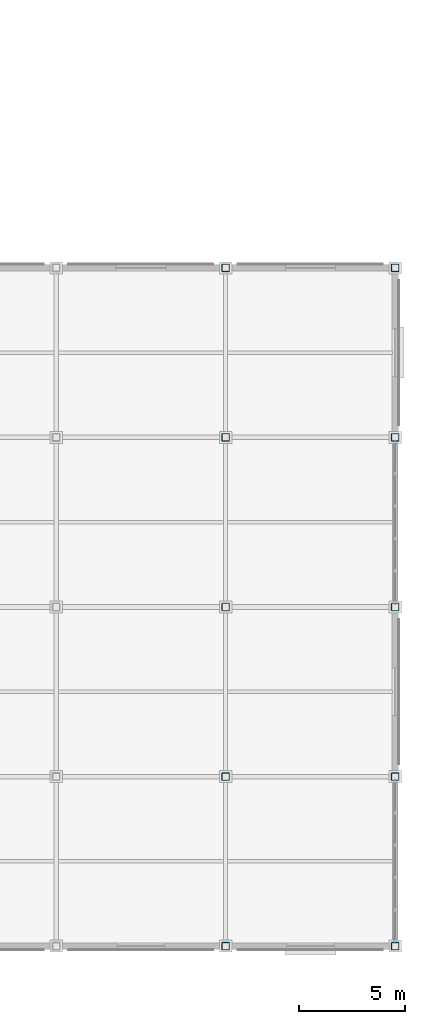
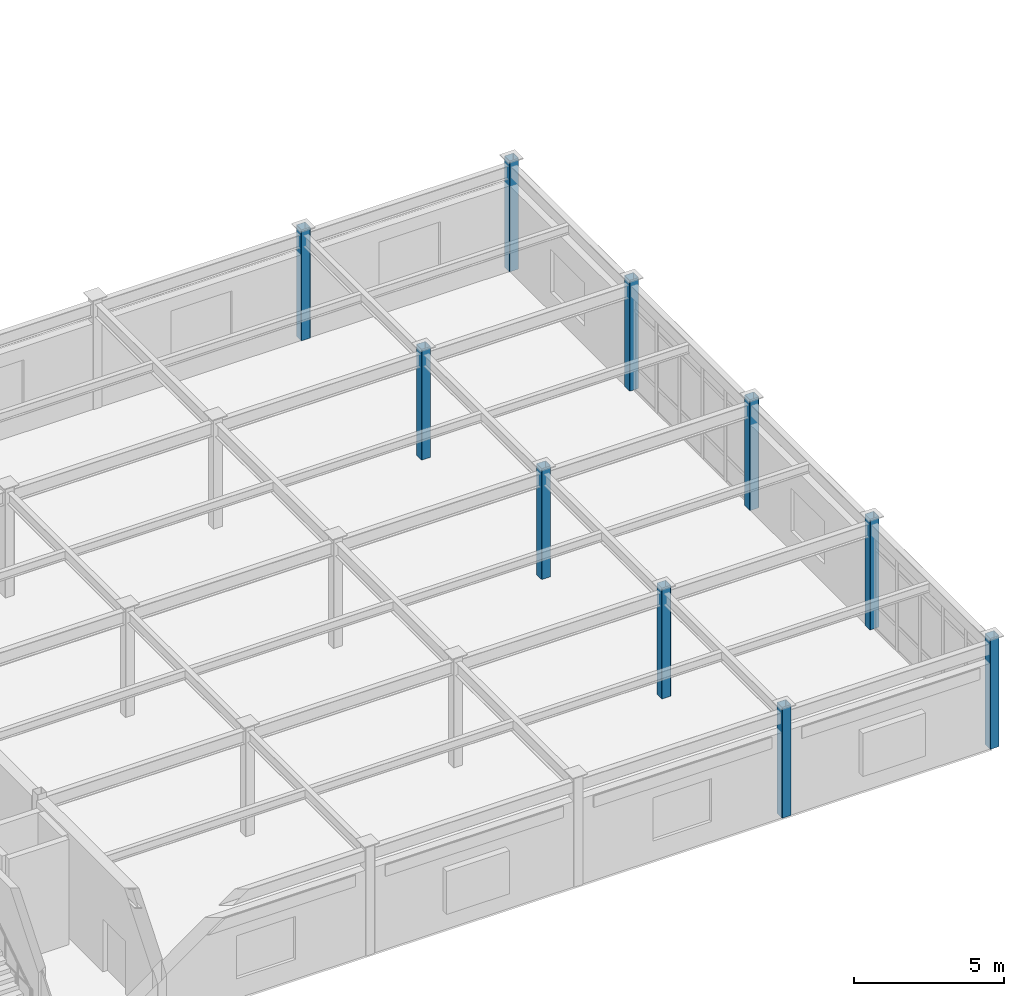
# One storey, part 16 of 111: 10 columns.
"""IFC4 building model written with IfcOpenShell, lengths in metres."""

from ifc_helpers import new_model, si_unit, direction, frame, origin, origin_2d, place, context, subcontext, project, spatial, hollow_rectangle, extrude, material, material_profile, profile_set, type_object, element, save


model = new_model("IFC4")

# Units and contexts
model_context = context("Model", 3, precision=1e-05, world=origin(), true_north=direction((0.0, 1.0)))
body_context = subcontext(model_context, "Body", "Model", "MODEL_VIEW")
ifc_project = project(units=[si_unit("LENGTHUNIT", "METRE"), si_unit("AREAUNIT", "SQUARE_METRE"), si_unit("VOLUMEUNIT", "CUBIC_METRE"), si_unit("PLANEANGLEUNIT", "RADIAN"), si_unit("MASSUNIT", "GRAM", prefix="KILO")], contexts=[model_context])

# Site, building, storey
site_placement = place(None, origin())
site = spatial("IfcSite", under=ifc_project, at=site_placement, CompositionType="ELEMENT")
building_placement = place(site_placement, origin())
building = spatial("IfcBuilding", under=site, at=building_placement, Name="Solmirada Galleria", CompositionType="ELEMENT")
storey_placement = place(building_placement, frame((0.0, 0.0, 10.39990234375)))
storey = spatial("IfcBuildingStorey", under=building, at=storey_placement, Name="L02", CompositionType="ELEMENT", Elevation=10.39990234375)

# Columns
ifc_material = material(Name="Steel S355 / ASTM A500 Grade C", Category="steel")
ifc_material_profile = material_profile(ifc_material, hollow_rectangle(XDim=0.35595703125, YDim=0.35595703125, WallThickness=0.01171875, InnerFilletRadius=0.01171875, OuterFilletRadius=0.023681640625, at=origin_2d()), Name="HSS14X14X1/2")
ifc_profile_set = profile_set([ifc_material_profile], Name="Steel S355 / ASTM A500 Grade C")
column_type = type_object("IfcColumnType", Name="COL-HSS14", PredefinedType="COLUMN", material=ifc_profile_set)
for number, where, z_axis, x_axis, name in (
    (1, (168.0, 0.0, 0.0), (0.0, 0.0, 1.0), (1.0, 0.0, 0.0), "Structural column L02-1440"),
    (2, (168.0, 8.0, 0.0), (0.0, 0.0, 1.0), (1.0, 0.0, 0.0), "Structural column L02-1444"),
    (3, (168.0, 16.0, 0.0), (0.0, 0.0, 1.0), (1.0, 0.0, 0.0), "Structural column L02-1448"),
    (4, (168.0, 24.0, 0.0), (0.0, 0.0, 1.0), (1.0, 0.0, 0.0), "Structural column L02-1452"),
    (5, (168.0, 32.0, 0.0), (0.0, 0.0, 1.0), (1.0, 0.0, 0.0), "Structural column L02-1456"),
    (6, (176.0, 0.0, 0.0), (0.0, 0.0, 1.0), (1.0, 0.0, 0.0), "Structural column L02-1513"),
    (7, (176.0, 8.0, 0.0), (0.0, 0.0, 1.0), (1.0, 0.0, 0.0), "Structural column L02-1517"),
    (8, (176.0, 16.0, 0.0), (0.0, 0.0, 1.0), (1.0, 0.0, 0.0), "Structural column L02-1521"),
    (9, (176.0, 24.0, 0.0), (0.0, 0.0, 1.0), (1.0, 0.0, 0.0), "Structural column L02-1525"),
    (10, (176.0, 32.0, 0.0), (0.0, 0.0, 1.0), (1.0, 0.0, 0.0), "Structural column L02-1529"),
):
    element("IfcColumn", number, at=place(storey_placement, frame(where, z_axis=z_axis, x_axis=x_axis)), inside=storey, type_object=column_type, Name=name, PredefinedType="COLUMN", context=body_context, shape_type="SweptSolid", body=[
        extrude(hollow_rectangle(XDim=0.35595703125, YDim=0.35595703125, WallThickness=0.01171875, InnerFilletRadius=0.01171875, OuterFilletRadius=0.023681640625, at=origin_2d()), origin(), (0.0, 0.0, 1.0), 4.5),
    ])

save(model, "model.ifc")
